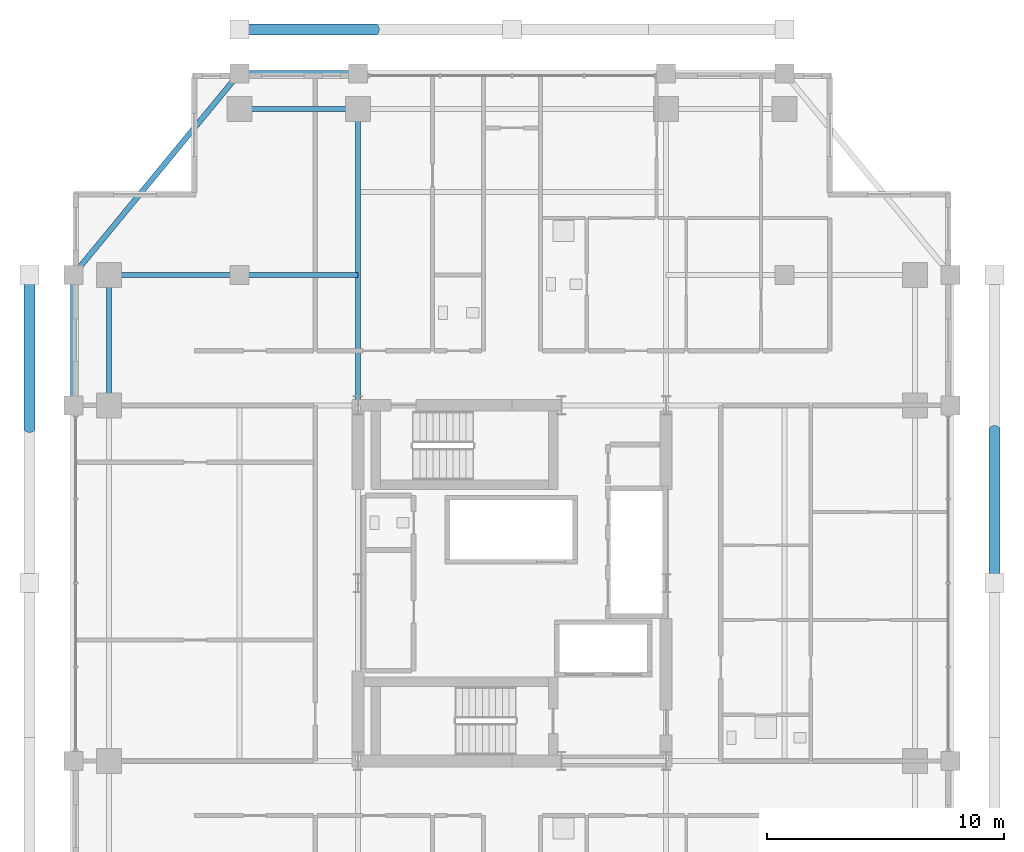
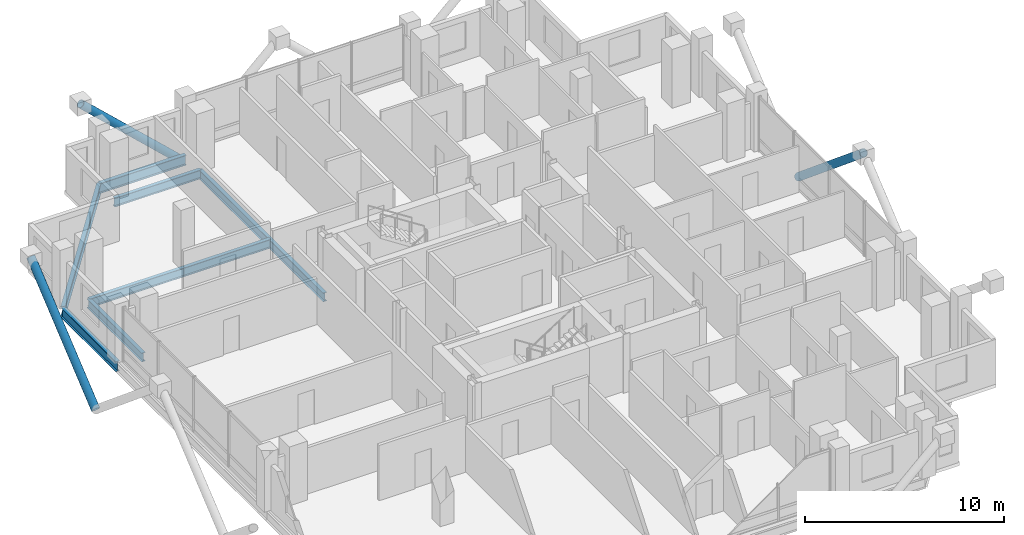
# One storey, part 12 of 24: 8 beams, 3 members.
"""IFC4 building model written with IfcOpenShell, lengths in metres."""

from ifc_helpers import new_model, si_unit, direction, frame, origin, origin_2d, place, context, subcontext, project, spatial, hollow_circle, i_section, extrude, material, material_profile, profile_set, type_object, element, save


model = new_model("IFC4")

# Units and contexts
model_context = context("Model", 3, precision=1e-05, world=origin(), true_north=direction((0.0, 1.0)))
body_context = subcontext(model_context, "Body", "Model", "MODEL_VIEW")
ifc_project = project(units=[si_unit("LENGTHUNIT", "METRE"), si_unit("AREAUNIT", "SQUARE_METRE"), si_unit("VOLUMEUNIT", "CUBIC_METRE"), si_unit("PLANEANGLEUNIT", "RADIAN"), si_unit("MASSUNIT", "GRAM", prefix="KILO")], contexts=[model_context])

# Site, building, storey
site_placement = place(None, origin())
site = spatial("IfcSite", under=ifc_project, at=site_placement, CompositionType="ELEMENT")
building_placement = place(site_placement, origin())
building = spatial("IfcBuilding", under=site, at=building_placement, Name="Barlavira Tower and Art Museum", CompositionType="ELEMENT")
storey_placement = place(building_placement, frame((0.0, 0.0, 172.800048828125)))
storey = spatial("IfcBuildingStorey", under=building, at=storey_placement, Name="L44", CompositionType="ELEMENT", Elevation=172.800048828125)

# Members
ifc_material = material(Name="Steel S355", Category="steel")
ifc_material_profile_1 = material_profile(ifc_material, hollow_circle(Radius=0.228515625, WallThickness=0.02001953125, at=origin_2d()), Name="CHS 457.0x20.0")
ifc_profile_set_1 = profile_set([ifc_material_profile_1], Name="Steel S355")
member_type = type_object("IfcMemberType", Name="Pale-Metal Exoskeleton Diagrid Tube CHS 457x20 Steel S355", PredefinedType="BRACE", material=ifc_profile_set_1)
member_placement = place(storey_placement, frame((-5.75, 23.35009765625, -1.920166015625), z_axis=(-0.728934650808, 0.0, 0.684583285548), x_axis=(0.0, -1.0, 0.0)))
element("IfcMember", 1, at=member_placement, inside=storey, type_object=member_type, Name="L44 Exoskeleton Diagrid Tube N", PredefinedType="BRACE", context=body_context, shape_type="SweptSolid", body=[
    extrude(hollow_circle(Radius=0.228515625, WallThickness=0.02001953125, at=origin_2d()), origin(), (0.0, 0.0, 1.0), 7.88818359375),
])
for number, where, z_axis, x_axis, name in (
    (2, (-20.35009765625, 6.5, -1.920166015625), (0.0, 0.76918185268, 0.639029950399), (-1.0, 0.0, 0.0), "L44 Exoskeleton Diagrid Tube W"),
    (3, (20.35009765625, 6.5, -1.920166015625), (0.0, -0.76918185268, 0.639029950399), (1.0, 0.0, 0.0), "L44 Exoskeleton Diagrid Tube E"),
):
    element("IfcMember", number, at=place(storey_placement, frame(where, z_axis=z_axis, x_axis=x_axis)), inside=storey, type_object=member_type, Name=name, PredefinedType="BRACE", context=body_context, shape_type="SweptSolid", body=[
        extrude(hollow_circle(Radius=0.228515625, WallThickness=0.02001953125, at=origin_2d()), origin(), (0.0, 0.0, 1.0), 8.450439453125),
    ])

# Beams
ifc_material_profile_2 = material_profile(ifc_material, i_section(OverallWidth=0.22998046875, OverallDepth=0.616943359375, WebThickness=0.01318359375, FlangeThickness=0.022216796875, at=origin_2d()), Name="W610x140.0")
ifc_profile_set_2 = profile_set([ifc_material_profile_2], Name="Steel S355")
beam_type_1 = type_object("IfcBeamType", Name="Upper Shaft Spandrel Edge Beam W610x140 Steel S355", PredefinedType="SPANDREL", material=ifc_profile_set_2)
beam_1_placement = place(storey_placement, frame((-11.5, 21.5, -0.528564453125), z_axis=(1.0, 0.0, 0.0), x_axis=(0.0, 1.0, 0.0)))
element("IfcBeam", 4, at=beam_1_placement, inside=storey, type_object=beam_type_1, Name="L44 Spandrel 11", PredefinedType="SPANDREL", context=body_context, shape_type="SweptSolid", body=[
    extrude(i_section(OverallWidth=0.22998046875, OverallDepth=0.616943359375, WebThickness=0.01318359375, FlangeThickness=0.022216796875, at=origin_2d()), origin(), (0.0, 0.0, 1.0), 5.0),
])
beam_2_placement = place(storey_placement, frame((-11.5, 21.5, -0.528564453125), z_axis=(-0.635707252861, -0.771930235617, 0.0), x_axis=(0.771930235617, -0.635707252861, 0.0)))
element("IfcBeam", 5, at=beam_2_placement, inside=storey, type_object=beam_type_1, Name="L44 Spandrel 12", PredefinedType="SPANDREL", context=body_context, shape_type="SweptSolid", body=[
    extrude(i_section(OverallWidth=0.22998046875, OverallDepth=0.616943359375, WebThickness=0.01318359375, FlangeThickness=0.022216796875, at=origin_2d()), origin(), (0.0, 0.0, 1.0), 11.011474609375),
])
beam_3_placement = place(storey_placement, frame((-18.5, 7.5, -0.528564453125), z_axis=(0.0, 1.0, 0.0), x_axis=(-1.0, 0.0, 0.0)))
element("IfcBeam", 6, at=beam_3_placement, inside=storey, type_object=beam_type_1, Name="L44 Spandrel 13", PredefinedType="SPANDREL", context=body_context, shape_type="SweptSolid", body=[
    extrude(i_section(OverallWidth=0.22998046875, OverallDepth=0.616943359375, WebThickness=0.01318359375, FlangeThickness=0.022216796875, at=origin_2d()), origin(), (0.0, 0.0, 1.0), 5.5),
])
ifc_material_profile_3 = material_profile(ifc_material, i_section(OverallWidth=0.2109375, OverallDepth=0.5390625, WebThickness=0.01171875, FlangeThickness=0.018798828125, at=origin_2d()), Name="W530x109.0")
ifc_profile_set_3 = profile_set([ifc_material_profile_3], Name="Steel S355")
beam_type_2 = type_object("IfcBeamType", Name="Zone 3-4 Primary Floor Girder W530x109 Steel S355", PredefinedType="BEAM", material=ifc_profile_set_3)
beam_4_placement = place(storey_placement, frame((-11.5, 20.0, -0.489501953125), z_axis=(1.0, 0.0, 0.0), x_axis=(0.0, 1.0, 0.0)))
element("IfcBeam", 7, at=beam_4_placement, inside=storey, type_object=beam_type_2, Name="L44 Girder M-N1", PredefinedType="BEAM", context=body_context, shape_type="SweptSolid", body=[
    extrude(i_section(OverallWidth=0.2109375, OverallDepth=0.5390625, WebThickness=0.01171875, FlangeThickness=0.018798828125, at=origin_2d()), origin(), (0.0, 0.0, 1.0), 5.0),
])
beam_5_placement = place(storey_placement, frame((-17.0, 7.5, -0.489501953125), z_axis=(0.0, 1.0, 0.0), x_axis=(-1.0, 0.0, 0.0)))
element("IfcBeam", 8, at=beam_5_placement, inside=storey, type_object=beam_type_2, Name="L44 Girder M-W3", PredefinedType="BEAM", context=body_context, shape_type="SweptSolid", body=[
    extrude(i_section(OverallWidth=0.2109375, OverallDepth=0.5390625, WebThickness=0.01171875, FlangeThickness=0.018798828125, at=origin_2d()), origin(), (0.0, 0.0, 1.0), 5.5),
])
beam_6_placement = place(storey_placement, frame((-6.5, 7.5, -0.489501953125), z_axis=(0.0, 1.0, 0.0), x_axis=(-1.0, 0.0, 0.0)))
element("IfcBeam", 9, at=beam_6_placement, inside=storey, type_object=beam_type_2, Name="L44 Girder R-N1", PredefinedType="BEAM", context=body_context, shape_type="SweptSolid", body=[
    extrude(i_section(OverallWidth=0.2109375, OverallDepth=0.5390625, WebThickness=0.01171875, FlangeThickness=0.018798828125, at=origin_2d()), origin(), (0.0, 0.0, 1.0), 12.5),
])
beam_7_placement = place(storey_placement, frame((-17.0, 13.0, -0.489501953125), z_axis=(1.0, 0.0, 0.0), x_axis=(0.0, 1.0, 0.0)))
element("IfcBeam", 10, at=beam_7_placement, inside=storey, type_object=beam_type_2, Name="L44 Girder I-N1", PredefinedType="BEAM", context=body_context, shape_type="SweptSolid", body=[
    extrude(i_section(OverallWidth=0.2109375, OverallDepth=0.5390625, WebThickness=0.01171875, FlangeThickness=0.018798828125, at=origin_2d()), origin(), (0.0, 0.0, 1.0), 5.5),
])
beam_8_placement = place(storey_placement, frame((-11.5, 13.0, -0.489501953125), z_axis=(1.0, 0.0, 0.0), x_axis=(0.0, 1.0, 0.0)))
element("IfcBeam", 11, at=beam_8_placement, inside=storey, type_object=beam_type_2, Name="L44 Girder I-N2", PredefinedType="BEAM", context=body_context, shape_type="SweptSolid", body=[
    extrude(i_section(OverallWidth=0.2109375, OverallDepth=0.5390625, WebThickness=0.01171875, FlangeThickness=0.018798828125, at=origin_2d()), origin(), (0.0, 0.0, 1.0), 5.0),
])

save(model, "model.ifc")
